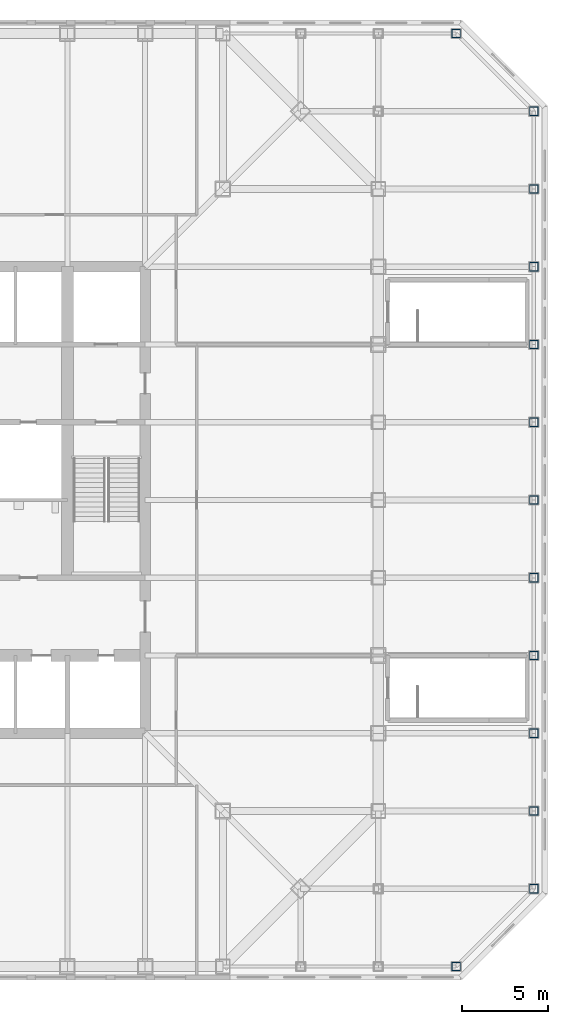
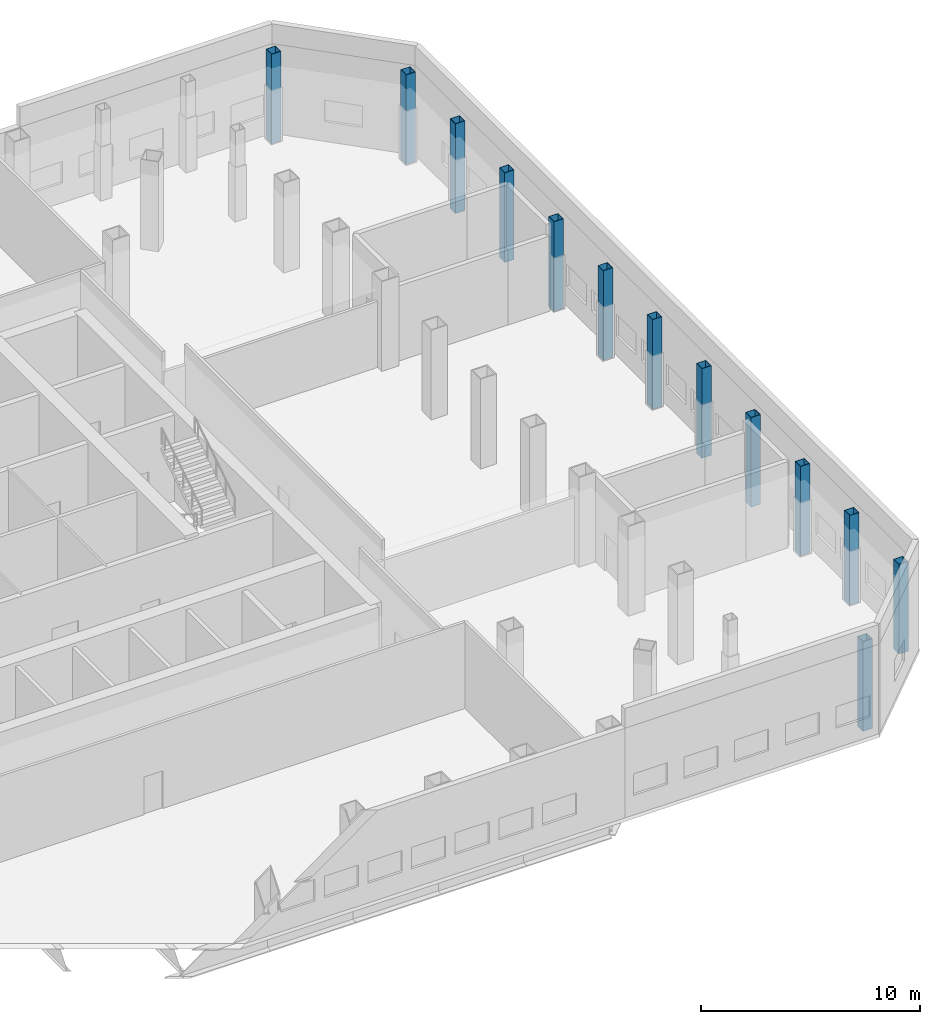
# One storey, part 3 of 14: 13 columns.
"""IFC4 building model written with IfcOpenShell, lengths in metres."""

from ifc_helpers import new_model, si_unit, direction, frame, origin, origin_2d, place, context, subcontext, project, spatial, hollow_rectangle, extrude, material, material_profile, profile_set, type_object, element, save


model = new_model("IFC4")

# Units and contexts
model_context = context("Model", 3, precision=1e-05, world=origin(), true_north=direction((0.0, 1.0)))
body_context = subcontext(model_context, "Body", "Model", "MODEL_VIEW")
ifc_project = project(units=[si_unit("LENGTHUNIT", "METRE"), si_unit("AREAUNIT", "SQUARE_METRE"), si_unit("VOLUMEUNIT", "CUBIC_METRE"), si_unit("PLANEANGLEUNIT", "RADIAN"), si_unit("MASSUNIT", "GRAM", prefix="KILO")], contexts=[model_context])

# Site, building, storey
site_placement = place(None, origin())
site = spatial("IfcSite", under=ifc_project, at=site_placement, CompositionType="ELEMENT")
building_placement = place(site_placement, origin())
building = spatial("IfcBuilding", under=site, at=building_placement, Name="Corais Broadcast Tower", CompositionType="ELEMENT")
storey_placement = place(building_placement, frame((0.0, 0.0, 18.0)))
storey = spatial("IfcBuildingStorey", under=building, at=storey_placement, Name="L03", CompositionType="ELEMENT", Elevation=18.0)

# Columns
ifc_material = material(Name="Steel ASTM A572 Grade 50", Category="steel")
ifc_material_profile = material_profile(ifc_material, hollow_rectangle(XDim=0.5, YDim=0.5, WallThickness=0.02197265625, at=origin_2d()), Name="BOX 500x500x22")
ifc_profile_set = profile_set([ifc_material_profile], Name="Steel ASTM A572 Grade 50")
column_type = type_object("IfcColumnType", Name="Column BOX 500x500x22", PredefinedType="COLUMN", material=ifc_profile_set)
for number, where, z_axis, x_axis, name in (
    (1, (63.0, 4.5, 0.0), (0.0, 0.0, 1.0), (1.0, 0.0, 0.0), "C9 B/17"),
    (2, (63.0, 9.0, 0.0), (0.0, 0.0, 1.0), (1.0, 0.0, 0.0), "C9 C/17"),
    (3, (63.0, 13.5, 0.0), (0.0, 0.0, 1.0), (1.0, 0.0, 0.0), "C9 D/17"),
    (4, (63.0, 18.0, 0.0), (0.0, 0.0, 1.0), (1.0, 0.0, 0.0), "C9 E/17"),
    (5, (63.0, 22.5, 0.0), (0.0, 0.0, 1.0), (1.0, 0.0, 0.0), "C9 F/17"),
    (6, (63.0, 27.0, 0.0), (0.0, 0.0, 1.0), (1.0, 0.0, 0.0), "C9 G/17"),
    (7, (63.0, 31.5, 0.0), (0.0, 0.0, 1.0), (1.0, 0.0, 0.0), "C9 H/17"),
    (8, (63.0, 36.0, 0.0), (0.0, 0.0, 1.0), (1.0, 0.0, 0.0), "C9 J/17"),
    (9, (63.0, 40.5, 0.0), (0.0, 0.0, 1.0), (1.0, 0.0, 0.0), "C9 K/17"),
    (10, (63.0, 45.0, 0.0), (0.0, 0.0, 1.0), (1.0, 0.0, 0.0), "C9 L/17"),
    (11, (63.0, 49.5, 0.0), (0.0, 0.0, 1.0), (1.0, 0.0, 0.0), "C9 M/17"),
    (12, (58.5, 0.0, 0.0), (0.0, 0.0, 1.0), (1.0, 0.0, 0.0), "C9 A/16"),
    (13, (58.5, 54.0, 0.0), (0.0, 0.0, 1.0), (1.0, 0.0, 0.0), "C9 N/16"),
):
    element("IfcColumn", number, at=place(storey_placement, frame(where, z_axis=z_axis, x_axis=x_axis)), inside=storey, type_object=column_type, Name=name, PredefinedType="COLUMN", context=body_context, shape_type="SweptSolid", body=[
        extrude(hollow_rectangle(XDim=0.5, YDim=0.5, WallThickness=0.02197265625, at=origin_2d()), origin(), (0.0, 0.0, 1.0), 5.0),
    ])

save(model, "model.ifc")
